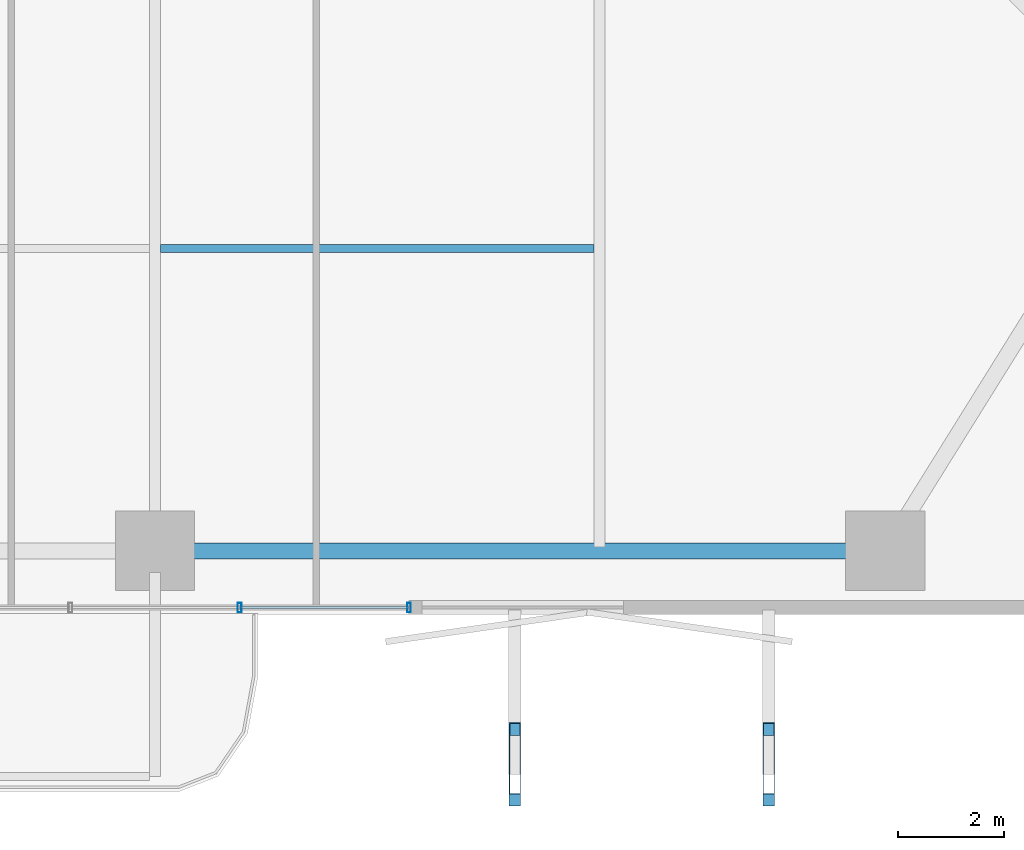
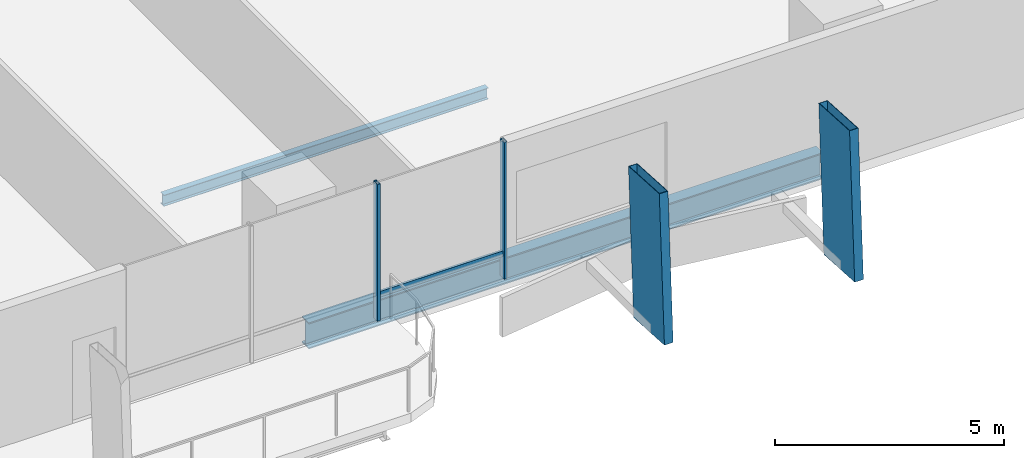
# One storey, part 6 of 23: 5 members, 2 beams, 1 element without a shape of its own.
"""IFC4 building model written with IfcOpenShell, lengths in metres."""

from ifc_helpers import new_model, si_unit, direction, frame, origin, origin_2d, place, context, subcontext, project, spatial, hollow_rectangle, i_section, extrude, material, layer, layer_set, material_profile, profile_set, type_object, element, aggregate, save


model = new_model("IFC4")

# Units and contexts
model_context = context("Model", 3, precision=1e-05, world=origin(), true_north=direction((0.0, 1.0)))
body_context = subcontext(model_context, "Body", "Model", "MODEL_VIEW")
ifc_project = project(units=[si_unit("LENGTHUNIT", "METRE"), si_unit("AREAUNIT", "SQUARE_METRE"), si_unit("VOLUMEUNIT", "CUBIC_METRE"), si_unit("PLANEANGLEUNIT", "RADIAN"), si_unit("MASSUNIT", "GRAM", prefix="KILO")], contexts=[model_context])

# Site, building, storey
site_placement = place(None, origin())
site = spatial("IfcSite", under=ifc_project, at=site_placement, CompositionType="ELEMENT")
building_placement = place(site_placement, origin())
building = spatial("IfcBuilding", under=site, at=building_placement, Name="Belovzor Exchange Tower", CompositionType="ELEMENT")
storey_placement = place(building_placement, frame((0.0, 0.0, 41.699951171875)))
storey = spatial("IfcBuildingStorey", under=building, at=storey_placement, Name="L09", CompositionType="ELEMENT", Elevation=41.699951171875)

# Members
ifc_material_1 = material(Name="Extruded Architectural Terracotta on Steel S355 Carrier", Category="masonry")
ifc_material_profile_1 = material_profile(ifc_material_1, hollow_rectangle(XDim=0.219970703125, YDim=1.35009765625, WallThickness=0.013916015625, at=origin_2d()))
ifc_profile_set_1 = profile_set([ifc_material_profile_1], Name="Extruded Architectural Terracotta on Steel S355 Carrier")
member_type_1 = type_object("IfcMemberType", Name="Base Arc Sweeping Terracotta Pylon Fin 1450", PredefinedType="USERDEFINED", material=ifc_profile_set_1)
for number, where, z_axis, x_axis, name in (
    (1, (35.60009765625, -2.0458984375, -0.25), (0.0, 0.05755700694, 0.998342221361), (-1.0, 0.0, 0.0), "FIN-TC145 Terracotta Facade Fin L09 S3"),
    (2, (40.39990234375, -2.0458984375, -0.25), (0.0, 0.05755700694, 0.998342221361), (-1.0, 0.0, 0.0), "FIN-TC145 Terracotta Facade Fin L09 S4"),
):
    element("IfcMember", number, at=place(storey_placement, frame(where, z_axis=z_axis, x_axis=x_axis)), inside=storey, type_object=member_type_1, Name=name, ObjectType="FIN", PredefinedType="USERDEFINED", context=body_context, shape_type="SweptSolid", body=[
        extrude(hollow_rectangle(XDim=0.219970703125, YDim=1.35009765625, WallThickness=0.013916015625, at=origin_2d()), origin(), (0.0, 0.0, 1.0), 3.90673828125),
    ])

# Beam
ifc_material_2 = material(Name="Steel S355", Category="steel")
ifc_material_profile_2 = material_profile(ifc_material_2, i_section(OverallWidth=0.14990234375, OverallDepth=0.300048828125, WebThickness=0.007080078125, FlangeThickness=0.0107421875, at=origin_2d()))
ifc_profile_set_2 = profile_set([ifc_material_profile_2], Name="Steel S355")
beam_type_1 = type_object("IfcBeamType", Name="Secondary Trim Floor Joist IPE 300", PredefinedType="BEAM", material=ifc_profile_set_2)
beam_1_placement = place(storey_placement, frame((28.905029296875, 7.81494140625, -0.39990234375), z_axis=(1.0, 0.0, 0.0), x_axis=(0.0, 1.0, 0.0)))
element("IfcBeam", 3, at=beam_1_placement, inside=storey, type_object=beam_type_1, Name="FJ-300 Secondary Trim Floor Joist IPE 300", PredefinedType="BEAM", context=body_context, shape_type="SweptSolid", body=[
    extrude(i_section(OverallWidth=0.14990234375, OverallDepth=0.300048828125, WebThickness=0.007080078125, FlangeThickness=0.0107421875, at=origin_2d()), origin(), (0.0, 0.0, 1.0), 8.18994140625),
])

# Curtain wall, members
ifc_material_3 = material(Name="Anodised Aluminium Framing", Category="aluminium")
ifc_layer = layer(ifc_material_3, 0.179931640625)
ifc_layer_set = layer_set([ifc_layer], Name="Anodised Aluminium Framing")
curtain_wall_type = type_object("IfcCurtainWallType", Name="Recessed Loggia Low-Iron Triple-Glazed Curtain Wall", PredefinedType="NOTDEFINED", material=ifc_layer_set)
curtain_wall_placement = place(storey_placement, origin())
curtain_wall = element("IfcCurtainWall", 4, at=curtain_wall_placement, inside=storey, type_object=curtain_wall_type, Name="CW3 Recessed Loggia Low-Iron Triple-Glazed Curtain Wall L09", PredefinedType="NOTDEFINED")
ifc_material_4 = material(Name="Steel S355", Category="steel")
ifc_material_profile_3 = material_profile(ifc_material_4, hollow_rectangle(XDim=0.074951171875, YDim=0.179931640625, WallThickness=0.0048828125, at=origin_2d()))
ifc_profile_set_3 = profile_set([ifc_material_profile_3], Name="Steel S355")
member_type_2 = type_object("IfcMemberType", Name="Thermally Broken Curtain Wall Mullion 180x75", PredefinedType="MULLION", material=ifc_profile_set_3)
member_1_placement = place(storey_placement, frame((33.60009765625, 1.030029296875, 0.0), z_axis=(0.0, 0.0, 1.0), x_axis=(-1.0, 0.0, 0.0)))
member_1 = element("IfcMember", 5, at=member_1_placement, type_object=member_type_2, Name="CW-M180 Curtain Wall Mullion 1", PredefinedType="MULLION", context=body_context, shape_type="SweptSolid", body=[
    extrude(hollow_rectangle(XDim=0.074951171875, YDim=0.179931640625, WallThickness=0.0048828125, at=origin_2d()), origin(), (0.0, 0.0, 1.0), 3.650146484375),
])
member_2_placement = place(storey_placement, frame((30.39990234375, 1.030029296875, 0.0), z_axis=(0.0, 0.0, 1.0), x_axis=(-1.0, 0.0, 0.0)))
member_2 = element("IfcMember", 6, at=member_2_placement, type_object=member_type_2, Name="CW-M180 Curtain Wall Mullion 2", PredefinedType="MULLION", context=body_context, shape_type="SweptSolid", body=[
    extrude(hollow_rectangle(XDim=0.074951171875, YDim=0.179931640625, WallThickness=0.0048828125, at=origin_2d()), origin(), (0.0, 0.0, 1.0), 3.650146484375),
])
ifc_material_5 = material(Name="Steel S355", Category="steel")
ifc_material_profile_4 = material_profile(ifc_material_5, hollow_rectangle(XDim=0.06005859375, YDim=0.14990234375, WallThickness=0.00390625, at=origin_2d()))
ifc_profile_set_4 = profile_set([ifc_material_profile_4], Name="Steel S355")
member_type_3 = type_object("IfcMemberType", Name="Thermally Broken Curtain Wall Transom 150x60", PredefinedType="USERDEFINED", material=ifc_profile_set_4)
member_3_placement = place(storey_placement, frame((33.592041015625, 1.030029296875, 0.650146484375), z_axis=(-1.0, 0.0, 0.0), x_axis=(0.0, -1.0, 0.0)))
member_3 = element("IfcMember", 7, at=member_3_placement, type_object=member_type_3, Name="CW-T150 Curtain Wall Transom 1", ObjectType="TRANSOM", PredefinedType="USERDEFINED", context=body_context, shape_type="SweptSolid", body=[
    extrude(hollow_rectangle(XDim=0.06005859375, YDim=0.14990234375, WallThickness=0.00390625, at=origin_2d()), origin(), (0.0, 0.0, 1.0), 3.18408203125),
])
aggregate(curtain_wall, [member_1, member_2, member_3])

# Beam
ifc_material_6 = material(Name="Steel S355", Category="steel")
ifc_material_profile_5 = material_profile(ifc_material_6, i_section(OverallWidth=0.300048828125, OverallDepth=0.699951171875, WebThickness=0.01708984375, FlangeThickness=0.031982421875, at=origin_2d()))
ifc_profile_set_5 = profile_set([ifc_material_profile_5], Name="Steel S355")
beam_type_2 = type_object("IfcBeamType", Name="Zone 1 Primary Perimeter Girder HEB 700", PredefinedType="BEAM", material=ifc_profile_set_5)
beam_2_placement = place(storey_placement, frame((29.212890625, 2.10009765625, -0.599853515625), z_axis=(1.0, 0.0, 0.0), x_axis=(0.0, 1.0, 0.0)))
element("IfcBeam", 8, at=beam_2_placement, inside=storey, type_object=beam_type_2, Name="FG-Z1 Zone 1 Primary Perimeter Girder HEB 700", PredefinedType="BEAM", context=body_context, shape_type="SweptSolid", body=[
    extrude(i_section(OverallWidth=0.300048828125, OverallDepth=0.699951171875, WebThickness=0.01708984375, FlangeThickness=0.031982421875, at=origin_2d()), origin(), (0.0, 0.0, 1.0), 12.97509765625),
])

save(model, "model.ifc")
